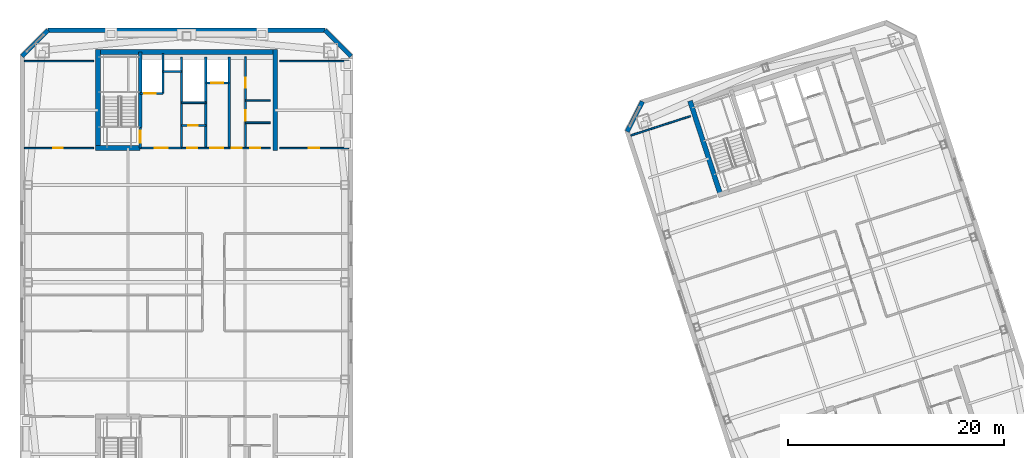
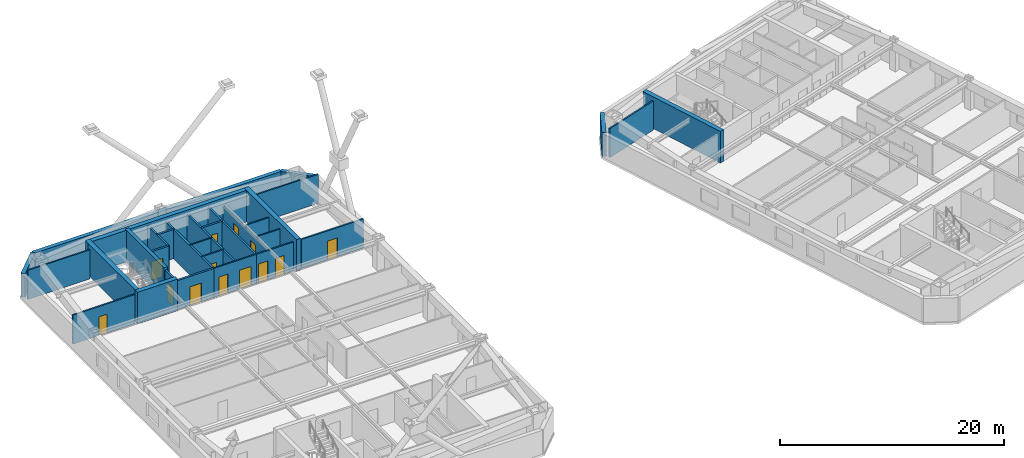
# One storey, part 15 of 20: 31 walls, 13 doors, 13 openings.
"""IFC4 building model written with IfcOpenShell, lengths in metres."""

from ifc_helpers import new_model, si_unit, direction, frame, frame_2d, origin, place, context, subcontext, project, spatial, rectangle, extrude, material, layer, layer_set, type_object, element, fill, save


model = new_model("IFC4")

# Units and contexts
model_context = context("Model", 3, precision=1e-05, world=origin(), true_north=direction((0.0, 1.0)))
body_context = subcontext(model_context, "Body", "Model", "MODEL_VIEW")
ifc_project = project(units=[si_unit("LENGTHUNIT", "METRE"), si_unit("AREAUNIT", "SQUARE_METRE"), si_unit("VOLUMEUNIT", "CUBIC_METRE"), si_unit("PLANEANGLEUNIT", "RADIAN"), si_unit("MASSUNIT", "GRAM", prefix="KILO")], contexts=[model_context])

# Site, building, storey
site_placement = place(None, origin())
site = spatial("IfcSite", under=ifc_project, at=site_placement, CompositionType="ELEMENT")
building_placement = place(site_placement, origin())
building = spatial("IfcBuilding", under=site, at=building_placement, Name="Qiaolan Cultural Towers", CompositionType="ELEMENT")
storey_placement = place(building_placement, frame((0.0, 0.0, 223.10009765625)))
storey = spatial("IfcBuildingStorey", under=building, at=storey_placement, Name="L60", CompositionType="ELEMENT", Elevation=223.10009765625)

# Walls
ifc_material_1 = material(Name="Concrete C50", Category="concrete")
ifc_layer_1 = layer(ifc_material_1, 0.35009765625)
ifc_layer_set_1 = layer_set([ifc_layer_1], Name="Concrete C50")
wall_type_1 = type_object("IfcWallType", Name="WL-CORE-350", PredefinedType="SHEAR", material=ifc_layer_set_1)
wall_1_placement = place(storey_placement, frame((25.719970703125, 48.300048828125, 0.0), z_axis=(0.0, 0.0, 1.0), x_axis=(0.0, 1.0, 0.0)))
element("IfcWall", 1, at=wall_1_placement, inside=storey, type_object=wall_type_1, Name="L60 T1-CN Stair Core Dividing Web", PredefinedType="SHEAR", context=body_context, shape_type="SweptSolid", body=[
    extrude(rectangle(XDim=6.97998046875, YDim=0.35009765625, at=frame_2d((3.489990234375, 0.0))), origin(), (0.0, 0.0, 1.0), 3.449951171875),
])
ifc_material_2 = material(Name="Concrete C50", Category="concrete")
ifc_layer_2 = layer(ifc_material_2, 0.449951171875)
ifc_layer_set_2 = layer_set([ifc_layer_2], Name="Concrete C50")
wall_type_2 = type_object("IfcWallType", Name="WL-CORE-450", PredefinedType="SHEAR", material=ifc_layer_set_2)
wall_2_placement = place(storey_placement, frame((21.574951171875, 55.280029296875, 0.0), z_axis=(0.0, 0.0, 1.0), x_axis=(1.0, 0.0, 0.0)))
element("IfcWall", 2, at=wall_2_placement, inside=storey, type_object=wall_type_2, Name="L60 T1-CN Outer Core Shear Wall", PredefinedType="SHEAR", context=body_context, shape_type="SweptSolid", body=[
    extrude(rectangle(XDim=16.85009765625, YDim=0.449951171875, at=frame_2d((8.425048828125, 0.0))), origin(), (0.0, 0.0, 1.0), 3.449951171875),
])
for number, where, z_axis, x_axis, name in (
    (3, (21.800048828125, 46.175048828125, 0.0), (0.0, 0.0, 1.0), (0.0, 1.0, 0.0), "L60 T1-CN West Core Shear Wall"),
    (4, (38.199951171875, 46.175048828125, 0.0), (0.0, 0.0, 1.0), (0.0, 1.0, 0.0), "L60 T1-CN East Core Shear Wall"),
):
    element("IfcWall", number, at=place(storey_placement, frame(where, z_axis=z_axis, x_axis=x_axis)), inside=storey, type_object=wall_type_2, Name=name, PredefinedType="SHEAR", context=body_context, shape_type="SweptSolid", body=[
        extrude(rectangle(XDim=9.329833984375, YDim=0.449951171875, at=frame_2d((4.6650390625, 0.0))), origin(), (0.0, 0.0, 1.0), 3.449951171875),
    ])
wall_3_placement = place(storey_placement, frame((21.574951171875, 46.39990234375, 0.0), z_axis=(0.0, 0.0, 1.0), x_axis=(1.0, 0.0, 0.0)))
element("IfcWall", 5, at=wall_3_placement, inside=storey, type_object=wall_type_2, Name="L60 T1-CN Stair Front Shear Wall", PredefinedType="SHEAR", context=body_context, shape_type="SweptSolid", body=[
    extrude(rectangle(XDim=4.14501953125, YDim=0.449951171875, at=frame_2d((2.072509765625, 0.0))), origin(), (0.0, 0.0, 1.0), 3.449951171875),
])
wall_4_placement = place(storey_placement, frame((79.4423828125, 41.899169921875, 0.0), z_axis=(0.0, 0.0, 1.0), x_axis=(-0.309035778627, 0.951050412717, 0.0)))
element("IfcWall", 6, at=wall_4_placement, inside=storey, type_object=wall_type_2, Name="L60 T2-CN West Core Shear Wall", PredefinedType="SHEAR", context=body_context, shape_type="SweptSolid", body=[
    extrude(rectangle(XDim=9.330078125, YDim=0.449951171875, at=frame_2d((4.6650390625, 0.0))), origin(), (0.0, 0.0, 1.0), 3.449951171875),
])
ifc_material_3 = material(Name="Precast Concrete C50 Honed Stone Pier", Category="masonry")
ifc_layer_3 = layer(ifc_material_3, 0.39990234375)
ifc_layer_set_3 = layer_set([ifc_layer_3], Name="Precast Concrete C50 Honed Stone Pier")
wall_type_3 = type_object("IfcWallType", Name="WL-EXT-PIER-400", PredefinedType="SOLIDWALL", material=ifc_layer_set_3)
wall_5_placement = place(storey_placement, frame((14.800048828125, 54.89990234375, 0.0), z_axis=(0.0, 0.0, 1.0), x_axis=(0.707070815327, 0.707142745217, 0.0)))
element("IfcWall", 7, at=wall_5_placement, inside=storey, type_object=wall_type_3, Name="L60 West Tower Precast Pier Facade Wall F2", PredefinedType="SOLIDWALL", context=body_context, shape_type="SweptSolid", body=[
    extrude(rectangle(XDim=3.39404296875, YDim=0.39990234375, at=frame_2d((1.697021484375, 0.0))), origin(), (0.0, 0.0, 1.0), 2.60986328125),
])
wall_6_placement = place(storey_placement, frame((17.199951171875, 57.300048828125, 0.0), z_axis=(0.0, 0.0, 1.0), x_axis=(1.0, 0.0, 0.0)))
element("IfcWall", 8, at=wall_6_placement, inside=storey, type_object=wall_type_3, Name="L60 West Tower Precast Pier Facade Wall F3", PredefinedType="SOLIDWALL", context=body_context, shape_type="SweptSolid", body=[
    extrude(rectangle(XDim=25.60009765625, YDim=0.39990234375, at=frame_2d((12.800048828125, 0.0))), origin(), (0.0, 0.0, 1.0), 2.60986328125),
])
wall_7_placement = place(storey_placement, frame((42.800048828125, 57.300048828125, 0.0), z_axis=(0.0, 0.0, 1.0), x_axis=(0.707070815327, -0.707142745217, 0.0)))
element("IfcWall", 9, at=wall_7_placement, inside=storey, type_object=wall_type_3, Name="L60 West Tower Precast Pier Facade Wall F4", PredefinedType="SOLIDWALL", context=body_context, shape_type="SweptSolid", body=[
    extrude(rectangle(XDim=3.39404296875, YDim=0.39990234375, at=frame_2d((1.697021484375, 0.0))), origin(), (0.0, 0.0, 1.0), 2.60986328125),
])
wall_8_placement = place(storey_placement, frame((70.752197265625, 47.93408203125, 0.0), z_axis=(0.0, 0.0, 1.0), x_axis=(0.453949291228, 0.891027519774, 0.0)))
element("IfcWall", 10, at=wall_8_placement, inside=storey, type_object=wall_type_3, Name="L60 East Tower Precast Pier Facade Wall F2", PredefinedType="SOLIDWALL", context=body_context, shape_type="SweptSolid", body=[
    extrude(rectangle(XDim=3.111328125, YDim=0.39990234375, at=frame_2d((1.5556640625, 0.0))), origin(), (0.0, 0.0, 1.0), 2.60986328125),
])

# Wall, opening, door
ifc_material_4 = material(Name="Concrete C35 Fire Wall", Category="concrete")
ifc_layer_4 = layer(ifc_material_4, 0.199951171875)
ifc_layer_set_4 = layer_set([ifc_layer_4], Name="Concrete C35 Fire Wall")
wall_type_4 = type_object("IfcWallType", Name="WL-FIRE-200", PredefinedType="PARTITIONING", material=ifc_layer_set_4)
wall_9_placement = place(storey_placement, frame((25.719970703125, 46.39990234375, 0.0), z_axis=(0.0, 0.0, 1.0), x_axis=(0.0, 1.0, 0.0)))
wall_9 = element("IfcWall", 11, at=wall_9_placement, inside=storey, type_object=wall_type_4, Name="L60 T1-CN Smokeproof Stair Entry Wall", PredefinedType="PARTITIONING", context=body_context, shape_type="SweptSolid", body=[
    extrude(rectangle(XDim=1.900146484375, YDim=0.199951171875, at=frame_2d((0.9501953125, 0.0))), origin(), (0.0, 0.0, 1.0), 3.1748046875),
])
opening_1_placement = place(wall_9_placement, frame((0.52001953125, 0.0, 0.0)))
opening_1 = element("IfcOpeningElement", 12, at=opening_1_placement, cuts=wall_9, Name="Opening FD-04", PredefinedType="OPENING", context=body_context, shape_type="SweptSolid", body=[
    extrude(rectangle(XDim=1.10009765625, YDim=2.050048828125, at=frame_2d((0.550048828125, 1.02490234375))), frame((0.0, 0.10986328125, 0.0), z_axis=(0.0, -1.0, 0.0), x_axis=(1.0, 0.0, 0.0)), (0.0, 0.0, 1.0), 0.219970703125),
])
ifc_material_5 = material(Name="Galvanized Steel Command Fire Door", Category="steel")
door_type_1 = type_object("IfcDoorType", Name="DR-FD90-1100", OperationType="NOTDEFINED", PredefinedType="DOOR", material=ifc_material_5)
door_1_placement = place(opening_1_placement, origin())
door_1 = element("IfcDoor", 13, at=door_1_placement, inside=storey, type_object=door_type_1, Name="L60 ST-W2 Smokeproof Stair Fire Door", OperationType="SINGLE_SWING_LEFT", OverallHeight=2.050048828125, OverallWidth=1.10009765625, PredefinedType="DOOR", context=body_context, shape_type="SweptSolid", body=[
    extrude(rectangle(XDim=1.10009765625, YDim=2.050048828125, at=frame_2d((0.550048828125, 1.02490234375))), frame((0.0, 0.02490234375, 0.0), z_axis=(0.0, -1.0, 0.0), x_axis=(1.0, 0.0, 0.0)), (0.0, 0.0, 1.0), 0.050048828125),
])
fill(opening_1, door_1)

# Wall
wall_10_placement = place(storey_placement, frame((29.550048828125, 46.39990234375, 0.0), z_axis=(0.0, 0.0, 1.0), x_axis=(0.0, 1.0, 0.0)))
element("IfcWall", 14, at=wall_10_placement, inside=storey, type_object=wall_type_4, Name="L60 T1-CN Firefighting Zone Wall", PredefinedType="PARTITIONING", context=body_context, shape_type="SweptSolid", body=[
    extrude(rectangle(XDim=8.43017578125, YDim=0.199951171875, at=frame_2d((4.215087890625, 0.0))), origin(), (0.0, 0.0, 1.0), 3.1748046875),
])

# Wall, opening, door
wall_11_placement = place(storey_placement, frame((25.719970703125, 46.39990234375, 0.0), z_axis=(0.0, 0.0, 1.0), x_axis=(1.0, 0.0, 0.0)))
wall_11 = element("IfcWall", 15, at=wall_11_placement, inside=storey, type_object=wall_type_4, Name="L60 T1-CN Firefighting Lobby Front Wall", PredefinedType="PARTITIONING", context=body_context, shape_type="SweptSolid", body=[
    extrude(rectangle(XDim=3.830078125, YDim=0.199951171875, at=frame_2d((1.9150390625, 0.0))), origin(), (0.0, 0.0, 1.0), 3.1748046875),
])
opening_2_placement = place(wall_11_placement, frame((1.35009765625, 0.0, 0.0)))
opening_2 = element("IfcOpeningElement", 16, at=opening_2_placement, cuts=wall_11, Name="Opening FD-03", PredefinedType="OPENING", context=body_context, shape_type="SweptSolid", body=[
    extrude(rectangle(XDim=1.199951171875, YDim=2.050048828125, at=frame_2d((0.60009765625, 1.02490234375))), frame((0.0, 0.10986328125, 0.0), z_axis=(0.0, -1.0, 0.0), x_axis=(1.0, 0.0, 0.0)), (0.0, 0.0, 1.0), 0.219970703125),
])
ifc_material_6 = material(Name="Galvanized Steel Smokeproof Lobby Fire Door", Category="steel")
door_type_2 = type_object("IfcDoorType", Name="DR-FD90-1200", OperationType="NOTDEFINED", PredefinedType="DOOR", material=ifc_material_6)
door_2_placement = place(opening_2_placement, origin())
door_2 = element("IfcDoor", 17, at=door_2_placement, inside=storey, type_object=door_type_2, Name="L60 FFL-W2 Firefighting Lobby Fire Door", OperationType="SINGLE_SWING_LEFT", OverallHeight=2.050048828125, OverallWidth=1.199951171875, PredefinedType="DOOR", context=body_context, shape_type="SweptSolid", body=[
    extrude(rectangle(XDim=1.199951171875, YDim=2.050048828125, at=frame_2d((0.60009765625, 1.02490234375))), frame((0.0, 0.02490234375, 0.0), z_axis=(0.0, -1.0, 0.0), x_axis=(1.0, 0.0, 0.0)), (0.0, 0.0, 1.0), 0.050048828125),
])
fill(opening_2, door_2)

wall_12_placement = place(storey_placement, frame((25.719970703125, 51.449951171875, 0.0), z_axis=(0.0, 0.0, 1.0), x_axis=(1.0, 0.0, 0.0)))
wall_12 = element("IfcWall", 18, at=wall_12_placement, inside=storey, type_object=wall_type_4, Name="L60 T1-CN Firefighting Shaft Front Wall", PredefinedType="PARTITIONING", context=body_context, shape_type="SweptSolid", body=[
    extrude(rectangle(XDim=2.10009765625, YDim=0.199951171875, at=frame_2d((1.050048828125, 0.0))), origin(), (0.0, 0.0, 1.0), 3.1748046875),
])
opening_3_placement = place(wall_12_placement, frame((0.35009765625, 0.0, 0.0)))
opening_3 = element("IfcOpeningElement", 19, at=opening_3_placement, cuts=wall_12, Name="Opening LD-01", PredefinedType="OPENING", context=body_context, shape_type="SweptSolid", body=[
    extrude(rectangle(XDim=1.10009765625, YDim=2.050048828125, at=frame_2d((0.550048828125, 1.02490234375))), frame((0.0, 0.10986328125, 0.0), z_axis=(0.0, -1.0, 0.0), x_axis=(1.0, 0.0, 0.0)), (0.0, 0.0, 1.0), 0.219970703125),
])
ifc_material_7 = material(Name="Brushed Stainless Steel S30408 Centre-Parting Lift Landing Door", Category="steel")
door_type_3 = type_object("IfcDoorType", Name="DR-LIFT-1100", OperationType="NOTDEFINED", PredefinedType="DOOR", material=ifc_material_7)
door_3_placement = place(opening_3_placement, origin())
door_3 = element("IfcDoor", 20, at=door_3_placement, inside=storey, type_object=door_type_3, Name="L60 FFL-W2 Firefighting Lift Landing Door", OperationType="DOUBLE_DOOR_SLIDING", OverallHeight=2.050048828125, OverallWidth=1.10009765625, PredefinedType="DOOR", context=body_context, shape_type="SweptSolid", body=[
    extrude(rectangle(XDim=1.10009765625, YDim=2.050048828125, at=frame_2d((0.550048828125, 1.02490234375))), frame((0.0, 0.02490234375, 0.0), z_axis=(0.0, -1.0, 0.0), x_axis=(1.0, 0.0, 0.0)), (0.0, 0.0, 1.0), 0.050048828125),
])
fill(opening_3, door_3)

# Walls
wall_13_placement = place(storey_placement, frame((27.820068359375, 51.449951171875, 0.0), z_axis=(0.0, 0.0, 1.0), x_axis=(0.0, 1.0, 0.0)))
element("IfcWall", 21, at=wall_13_placement, inside=storey, type_object=wall_type_4, Name="L60 T1-CN Firefighting Hoistway East Wall", PredefinedType="PARTITIONING", context=body_context, shape_type="SweptSolid", body=[
    extrude(rectangle(XDim=3.699951171875, YDim=0.199951171875, at=frame_2d((1.85009765625, 0.0))), origin(), (0.0, 0.0, 1.0), 3.1748046875),
])
wall_14_placement = place(storey_placement, frame((27.820068359375, 53.47998046875, 0.0), z_axis=(0.0, 0.0, 1.0), x_axis=(1.0, 0.0, 0.0)))
element("IfcWall", 22, at=wall_14_placement, inside=storey, type_object=wall_type_4, Name="L60 T1-CN Pressurization Shaft Front Wall", PredefinedType="PARTITIONING", context=body_context, shape_type="SweptSolid", body=[
    extrude(rectangle(XDim=1.72998046875, YDim=0.199951171875, at=frame_2d((0.864990234375, 0.0))), origin(), (0.0, 0.0, 1.0), 3.1748046875),
])
for number, where, z_axis, x_axis, name in (
    (23, (33.949951171875, 46.39990234375, 0.0), (0.0, 0.0, 1.0), (0.0, 1.0, 0.0), "L60 T1-CN Lift Core East Wall"),
    (24, (31.780029296875, 46.39990234375, 0.0), (0.0, 0.0, 1.0), (0.0, 1.0, 0.0), "L60 T1-CN Sky Shuttle Lift Zone Wall"),
):
    element("IfcWall", number, at=place(storey_placement, frame(where, z_axis=z_axis, x_axis=x_axis)), inside=storey, type_object=wall_type_4, Name=name, PredefinedType="PARTITIONING", context=body_context, shape_type="SweptSolid", body=[
        extrude(rectangle(XDim=8.43017578125, YDim=0.199951171875, at=frame_2d((4.215087890625, 0.0))), origin(), (0.0, 0.0, 1.0), 3.1748046875),
    ])

# Wall, opening, door
wall_15_placement = place(storey_placement, frame((31.780029296875, 52.419921875, 0.0), z_axis=(0.0, 0.0, 1.0), x_axis=(1.0, 0.0, 0.0)))
wall_15 = element("IfcWall", 25, at=wall_15_placement, inside=storey, type_object=wall_type_4, Name="L60 T1-CN Shuttle Lift Shaft Front", PredefinedType="PARTITIONING", context=body_context, shape_type="SweptSolid", body=[
    extrude(rectangle(XDim=2.169921875, YDim=0.199951171875, at=frame_2d((1.0849609375, 0.0))), origin(), (0.0, 0.0, 1.0), 3.1748046875),
])
opening_4_placement = place(wall_15_placement, frame((0.52001953125, 0.0, 0.0)))
opening_4 = element("IfcOpeningElement", 26, at=opening_4_placement, cuts=wall_15, Name="Opening LD-01", PredefinedType="OPENING", context=body_context, shape_type="SweptSolid", body=[
    extrude(rectangle(XDim=1.10009765625, YDim=2.050048828125, at=frame_2d((0.550048828125, 1.02490234375))), frame((0.0, 0.10986328125, 0.0), z_axis=(0.0, -1.0, 0.0), x_axis=(1.0, 0.0, 0.0)), (0.0, 0.0, 1.0), 0.219970703125),
])
door_4_placement = place(opening_4_placement, origin())
door_4 = element("IfcDoor", 27, at=door_4_placement, inside=storey, type_object=door_type_3, Name="L60 Sky Shuttle Lift Landing Door", OperationType="DOUBLE_DOOR_SLIDING", OverallHeight=2.050048828125, OverallWidth=1.10009765625, PredefinedType="DOOR", context=body_context, shape_type="SweptSolid", body=[
    extrude(rectangle(XDim=1.10009765625, YDim=2.050048828125, at=frame_2d((0.550048828125, 1.02490234375))), frame((0.0, 0.02490234375, 0.0), z_axis=(0.0, -1.0, 0.0), x_axis=(1.0, 0.0, 0.0)), (0.0, 0.0, 1.0), 0.050048828125),
])
fill(opening_4, door_4)

# Wall, openings, doors
ifc_material_8 = material(Name="Autoclaved Aerated Concrete Block B06", Category="concrete")
ifc_layer_5 = layer(ifc_material_8, 0.14990234375)
ifc_layer_set_5 = layer_set([ifc_layer_5], Name="Autoclaved Aerated Concrete Block B06")
wall_type_5 = type_object("IfcWallType", Name="WL-PART-150", PredefinedType="PARTITIONING", material=ifc_layer_set_5)
wall_16_placement = place(storey_placement, frame((29.550048828125, 46.39990234375, 0.0), z_axis=(0.0, 0.0, 1.0), x_axis=(1.0, 0.0, 0.0)))
wall_16 = element("IfcWall", 28, at=wall_16_placement, inside=storey, type_object=wall_type_5, Name="L60 T1-CN High-Zone Lift Lobby Wall", PredefinedType="PARTITIONING", context=body_context, shape_type="SweptSolid", body=[
    extrude(rectangle(XDim=4.39990234375, YDim=0.14990234375, at=frame_2d((2.199951171875, 0.0))), origin(), (0.0, 0.0, 1.0), 3.1748046875),
])
opening_5_placement = place(wall_16_placement, frame((0.5, 0.0, 0.0)))
opening_5 = element("IfcOpeningElement", 29, at=opening_5_placement, cuts=wall_16, Name="Opening ID-05", PredefinedType="OPENING", context=body_context, shape_type="SweptSolid", body=[
    extrude(rectangle(XDim=0.949951171875, YDim=2.050048828125, at=frame_2d((0.47509765625, 1.02490234375))), frame((0.0, 0.0849609375, 0.0), z_axis=(0.0, -1.0, 0.0), x_axis=(1.0, 0.0, 0.0)), (0.0, 0.0, 1.0), 0.169921875),
])
opening_6_placement = place(wall_16_placement, frame((2.64990234375, 0.0, 0.0)))
opening_6 = element("IfcOpeningElement", 30, at=opening_6_placement, cuts=wall_16, Name="Opening FD-06", PredefinedType="OPENING", context=body_context, shape_type="SweptSolid", body=[
    extrude(rectangle(XDim=1.199951171875, YDim=2.050048828125, at=frame_2d((0.60009765625, 1.02490234375))), frame((0.0, 0.0849609375, 0.0), z_axis=(0.0, -1.0, 0.0), x_axis=(1.0, 0.0, 0.0)), (0.0, 0.0, 1.0), 0.169921875),
])
ifc_material_9 = material(Name="Painted Steel Plant Fire Door", Category="steel")
door_type_4 = type_object("IfcDoorType", Name="DR-FD60-1200", OperationType="NOTDEFINED", PredefinedType="DOOR", material=ifc_material_9)
door_5_placement = place(opening_6_placement, origin())
door_5 = element("IfcDoor", 31, at=door_5_placement, inside=storey, type_object=door_type_4, Name="L60 Sky Shuttle Lift Lobby Door", OperationType="SINGLE_SWING_RIGHT", OverallHeight=2.050048828125, OverallWidth=1.199951171875, PredefinedType="DOOR", context=body_context, shape_type="SweptSolid", body=[
    extrude(rectangle(XDim=1.199951171875, YDim=2.050048828125, at=frame_2d((0.60009765625, 1.02490234375))), frame((0.0, 0.02490234375, 0.0), z_axis=(0.0, -1.0, 0.0), x_axis=(1.0, 0.0, 0.0)), (0.0, 0.0, 1.0), 0.050048828125),
])
fill(opening_6, door_5)
ifc_material_10 = material(Name="Fire-Rated Laminate Accessible Core Door", Category="timber")
door_type_5 = type_object("IfcDoorType", Name="DR-INT-950", OperationType="NOTDEFINED", PredefinedType="DOOR", material=ifc_material_10)
door_6_placement = place(opening_5_placement, origin())
door_6 = element("IfcDoor", 32, at=door_6_placement, inside=storey, type_object=door_type_5, Name="L60 Reclaimed Server Room Door", OperationType="SINGLE_SWING_LEFT", OverallHeight=2.050048828125, OverallWidth=0.949951171875, PredefinedType="DOOR", context=body_context, shape_type="SweptSolid", body=[
    extrude(rectangle(XDim=0.949951171875, YDim=2.050048828125, at=frame_2d((0.47509765625, 1.02490234375))), frame((0.0, 0.02490234375, 0.0), z_axis=(0.0, -1.0, 0.0), x_axis=(1.0, 0.0, 0.0)), (0.0, 0.0, 1.0), 0.050048828125),
])
fill(opening_5, door_6)

# Wall
wall_17_placement = place(storey_placement, frame((29.550048828125, 50.60009765625, 0.0), z_axis=(0.0, 0.0, 1.0), x_axis=(1.0, 0.0, 0.0)))
element("IfcWall", 33, at=wall_17_placement, inside=storey, type_object=wall_type_5, Name="L60 T1-CN High-Zone Smoke Shaft Split", PredefinedType="PARTITIONING", context=body_context, shape_type="SweptSolid", body=[
    extrude(rectangle(XDim=2.22998046875, YDim=0.14990234375, at=frame_2d((1.114990234375, 0.0))), origin(), (0.0, 0.0, 1.0), 3.1748046875),
])

# Wall, opening, door
wall_18_placement = place(storey_placement, frame((29.550048828125, 48.5, 0.0), z_axis=(0.0, 0.0, 1.0), x_axis=(1.0, 0.0, 0.0)))
wall_18 = element("IfcWall", 34, at=wall_18_placement, inside=storey, type_object=wall_type_5, Name="L60 T1-CN High-Zone Archive Suite Partition", PredefinedType="PARTITIONING", context=body_context, shape_type="SweptSolid", body=[
    extrude(rectangle(XDim=2.22998046875, YDim=0.14990234375, at=frame_2d((1.114990234375, 0.0))), origin(), (0.0, 0.0, 1.0), 3.1748046875),
])
opening_7_placement = place(wall_18_placement, frame((0.60009765625, 0.0, 0.0)))
opening_7 = element("IfcOpeningElement", 35, at=opening_7_placement, cuts=wall_18, Name="Opening ID-06", PredefinedType="OPENING", context=body_context, shape_type="SweptSolid", body=[
    extrude(rectangle(XDim=0.89990234375, YDim=2.050048828125, at=frame_2d((0.449951171875, 1.02490234375))), frame((0.0, 0.0849609375, 0.0), z_axis=(0.0, -1.0, 0.0), x_axis=(1.0, 0.0, 0.0)), (0.0, 0.0, 1.0), 0.169921875),
])
ifc_material_11 = material(Name="Fire-Rated Laminate Core Service Door", Category="timber")
door_type_6 = type_object("IfcDoorType", Name="DR-INT-900", OperationType="NOTDEFINED", PredefinedType="DOOR", material=ifc_material_11)
door_7_placement = place(opening_7_placement, origin())
door_7 = element("IfcDoor", 36, at=door_7_placement, inside=storey, type_object=door_type_6, Name="L60 Archive Vault Inner Door", OperationType="SINGLE_SWING_LEFT", OverallHeight=2.050048828125, OverallWidth=0.89990234375, PredefinedType="DOOR", context=body_context, shape_type="SweptSolid", body=[
    extrude(rectangle(XDim=0.89990234375, YDim=2.050048828125, at=frame_2d((0.449951171875, 1.02490234375))), frame((0.0, 0.02490234375, 0.0), z_axis=(0.0, -1.0, 0.0), x_axis=(1.0, 0.0, 0.0)), (0.0, 0.0, 1.0), 0.050048828125),
])
fill(opening_7, door_7)

# Wall, openings, doors
wall_19_placement = place(storey_placement, frame((33.949951171875, 46.39990234375, 0.0), z_axis=(0.0, 0.0, 1.0), x_axis=(1.0, 0.0, 0.0)))
wall_19 = element("IfcWall", 37, at=wall_19_placement, inside=storey, type_object=wall_type_5, Name="L60 T1-CN Sanitary Core Front Wall", PredefinedType="PARTITIONING", context=body_context, shape_type="SweptSolid", body=[
    extrude(rectangle(XDim=3.800048828125, YDim=0.14990234375, at=frame_2d((1.89990234375, 0.0))), origin(), (0.0, 0.0, 1.0), 3.1748046875),
])
opening_8_placement = place(wall_19_placement, frame((0.219970703125, 0.0, 0.0)))
opening_8 = element("IfcOpeningElement", 38, at=opening_8_placement, cuts=wall_19, Name="Opening ID-05", PredefinedType="OPENING", context=body_context, shape_type="SweptSolid", body=[
    extrude(rectangle(XDim=0.949951171875, YDim=2.050048828125, at=frame_2d((0.47509765625, 1.02490234375))), frame((0.0, 0.0849609375, 0.0), z_axis=(0.0, -1.0, 0.0), x_axis=(1.0, 0.0, 0.0)), (0.0, 0.0, 1.0), 0.169921875),
])
opening_9_placement = place(wall_19_placement, frame((1.949951171875, 0.0, 0.0)))
opening_9 = element("IfcOpeningElement", 39, at=opening_9_placement, cuts=wall_19, Name="Opening ID-06", PredefinedType="OPENING", context=body_context, shape_type="SweptSolid", body=[
    extrude(rectangle(XDim=0.89990234375, YDim=2.050048828125, at=frame_2d((0.449951171875, 1.02490234375))), frame((0.0, 0.0849609375, 0.0), z_axis=(0.0, -1.0, 0.0), x_axis=(1.0, 0.0, 0.0)), (0.0, 0.0, 1.0), 0.169921875),
])
door_8_placement = place(opening_9_placement, origin())
door_8 = element("IfcDoor", 40, at=door_8_placement, inside=storey, type_object=door_type_6, Name="L60 Core Tea Pantry Door", OperationType="SINGLE_SWING_RIGHT", OverallHeight=2.050048828125, OverallWidth=0.89990234375, PredefinedType="DOOR", context=body_context, shape_type="SweptSolid", body=[
    extrude(rectangle(XDim=0.89990234375, YDim=2.050048828125, at=frame_2d((0.449951171875, 1.02490234375))), frame((0.0, 0.02490234375, 0.0), z_axis=(0.0, -1.0, 0.0), x_axis=(1.0, 0.0, 0.0)), (0.0, 0.0, 1.0), 0.050048828125),
])
fill(opening_9, door_8)
door_9_placement = place(opening_8_placement, origin())
door_9 = element("IfcDoor", 41, at=door_9_placement, inside=storey, type_object=door_type_5, Name="L60 Sanitary Passage Door", OperationType="SINGLE_SWING_LEFT", OverallHeight=2.050048828125, OverallWidth=0.949951171875, PredefinedType="DOOR", context=body_context, shape_type="SweptSolid", body=[
    extrude(rectangle(XDim=0.949951171875, YDim=2.050048828125, at=frame_2d((0.47509765625, 1.02490234375))), frame((0.0, 0.02490234375, 0.0), z_axis=(0.0, -1.0, 0.0), x_axis=(1.0, 0.0, 0.0)), (0.0, 0.0, 1.0), 0.050048828125),
])
fill(opening_8, door_9)

wall_20_placement = place(storey_placement, frame((35.449951171875, 46.39990234375, 0.0), z_axis=(0.0, 0.0, 1.0), x_axis=(0.0, 1.0, 0.0)))
wall_20 = element("IfcWall", 42, at=wall_20_placement, inside=storey, type_object=wall_type_5, Name="L60 T1-CN Sanitary Corridor Wall", PredefinedType="PARTITIONING", context=body_context, shape_type="SweptSolid", body=[
    extrude(rectangle(XDim=8.43017578125, YDim=0.14990234375, at=frame_2d((4.215087890625, 0.0))), origin(), (0.0, 0.0, 1.0), 2.764892578125),
])
opening_10_placement = place(wall_20_placement, frame((2.550048828125, 0.0, 0.0)))
opening_10 = element("IfcOpeningElement", 43, at=opening_10_placement, cuts=wall_20, Name="Opening ID-05", PredefinedType="OPENING", context=body_context, shape_type="SweptSolid", body=[
    extrude(rectangle(XDim=0.949951171875, YDim=2.050048828125, at=frame_2d((0.47509765625, 1.02490234375))), frame((0.0, 0.0849609375, 0.0), z_axis=(0.0, -1.0, 0.0), x_axis=(1.0, 0.0, 0.0)), (0.0, 0.0, 1.0), 0.169921875),
])
opening_11_placement = place(wall_20_placement, frame((5.60009765625, 0.0, 0.0)))
opening_11 = element("IfcOpeningElement", 44, at=opening_11_placement, cuts=wall_20, Name="Opening ID-06", PredefinedType="OPENING", context=body_context, shape_type="SweptSolid", body=[
    extrude(rectangle(XDim=0.89990234375, YDim=2.050048828125, at=frame_2d((0.449951171875, 1.02490234375))), frame((0.0, 0.0849609375, 0.0), z_axis=(0.0, -1.0, 0.0), x_axis=(1.0, 0.0, 0.0)), (0.0, 0.0, 1.0), 0.169921875),
])
door_10_placement = place(opening_11_placement, origin())
door_10 = element("IfcDoor", 45, at=door_10_placement, inside=storey, type_object=door_type_6, Name="L60 Staff Restroom Door", OperationType="SINGLE_SWING_RIGHT", OverallHeight=2.050048828125, OverallWidth=0.89990234375, PredefinedType="DOOR", context=body_context, shape_type="SweptSolid", body=[
    extrude(rectangle(XDim=0.89990234375, YDim=2.050048828125, at=frame_2d((0.449951171875, 1.02490234375))), frame((0.0, 0.02490234375, 0.0), z_axis=(0.0, -1.0, 0.0), x_axis=(1.0, 0.0, 0.0)), (0.0, 0.0, 1.0), 0.050048828125),
])
fill(opening_11, door_10)
door_11_placement = place(opening_10_placement, origin())
door_11 = element("IfcDoor", 46, at=door_11_placement, inside=storey, type_object=door_type_5, Name="L60 Accessible Washroom Door", OperationType="SINGLE_SWING_LEFT", OverallHeight=2.050048828125, OverallWidth=0.949951171875, PredefinedType="DOOR", context=body_context, shape_type="SweptSolid", body=[
    extrude(rectangle(XDim=0.949951171875, YDim=2.050048828125, at=frame_2d((0.47509765625, 1.02490234375))), frame((0.0, 0.02490234375, 0.0), z_axis=(0.0, -1.0, 0.0), x_axis=(1.0, 0.0, 0.0)), (0.0, 0.0, 1.0), 0.050048828125),
])
fill(opening_10, door_11)

# Walls
for number, where, z_axis, x_axis, name in (
    (47, (35.449951171875, 50.800048828125, 0.0), (0.0, 0.0, 1.0), (1.0, 0.0, 0.0), "L60 T1-CN Restroom Split Wall"),
    (48, (35.449951171875, 48.75, 0.0), (0.0, 0.0, 1.0), (1.0, 0.0, 0.0), "L60 T1-CN Core Pantry Wall"),
):
    element("IfcWall", number, at=place(storey_placement, frame(where, z_axis=z_axis, x_axis=x_axis)), inside=storey, type_object=wall_type_5, Name=name, PredefinedType="PARTITIONING", context=body_context, shape_type="SweptSolid", body=[
        extrude(rectangle(XDim=2.300048828125, YDim=0.14990234375, at=frame_2d((1.14990234375, 0.0))), origin(), (0.0, 0.0, 1.0), 3.1748046875),
    ])
wall_21_placement = place(storey_placement, frame((15.0, 54.449951171875, 0.0), z_axis=(0.0, 0.0, 1.0), x_axis=(1.0, 0.0, 0.0)))
element("IfcWall", 49, at=wall_21_placement, inside=storey, type_object=wall_type_5, Name="L60 T1 Flank Wall FLK-NW", PredefinedType="PARTITIONING", context=body_context, shape_type="SweptSolid", body=[
    extrude(rectangle(XDim=6.39990234375, YDim=0.14990234375, at=frame_2d((3.199951171875, 0.0))), origin(), (0.0, 0.0, 1.0), 3.1748046875),
])

# Wall, opening, door
wall_22_placement = place(storey_placement, frame((15.0, 46.39990234375, 0.0), z_axis=(0.0, 0.0, 1.0), x_axis=(1.0, 0.0, 0.0)))
wall_22 = element("IfcWall", 50, at=wall_22_placement, inside=storey, type_object=wall_type_5, Name="L60 T1 Flank Front FLK-NW", PredefinedType="PARTITIONING", context=body_context, shape_type="SweptSolid", body=[
    extrude(rectangle(XDim=6.39990234375, YDim=0.14990234375, at=frame_2d((3.199951171875, 0.0))), origin(), (0.0, 0.0, 1.0), 3.1748046875),
])
opening_12_placement = place(wall_22_placement, frame((2.68798828125, 0.0, 0.0)))
opening_12 = element("IfcOpeningElement", 51, at=opening_12_placement, cuts=wall_22, Name="Opening ID-09", PredefinedType="OPENING", context=body_context, shape_type="SweptSolid", body=[
    extrude(rectangle(XDim=0.85009765625, YDim=2.050048828125, at=frame_2d((0.425048828125, 1.02490234375))), frame((0.0, 0.0849609375, 0.0), z_axis=(0.0, -1.0, 0.0), x_axis=(1.0, 0.0, 0.0)), (0.0, 0.0, 1.0), 0.169921875),
])
ifc_material_12 = material(Name="Moisture-Resistant Laminate Utility Door", Category="timber")
door_type_7 = type_object("IfcDoorType", Name="DR-INT-850", OperationType="NOTDEFINED", PredefinedType="DOOR", material=ifc_material_12)
door_12_placement = place(opening_12_placement, origin())
door_12 = element("IfcDoor", 52, at=door_12_placement, inside=storey, type_object=door_type_7, Name="L60 T1 Corner Studio Door", OperationType="SINGLE_SWING_LEFT", OverallHeight=2.050048828125, OverallWidth=0.85009765625, PredefinedType="DOOR", context=body_context, shape_type="SweptSolid", body=[
    extrude(rectangle(XDim=0.85009765625, YDim=2.050048828125, at=frame_2d((0.425048828125, 1.02490234375))), frame((0.0, 0.02490234375, 0.0), z_axis=(0.0, -1.0, 0.0), x_axis=(1.0, 0.0, 0.0)), (0.0, 0.0, 1.0), 0.050048828125),
])
fill(opening_12, door_12)

# Wall
wall_23_placement = place(storey_placement, frame((38.60009765625, 54.449951171875, 0.0), z_axis=(0.0, 0.0, 1.0), x_axis=(1.0, 0.0, 0.0)))
element("IfcWall", 53, at=wall_23_placement, inside=storey, type_object=wall_type_5, Name="L60 T1 Flank Wall FLK-NE", PredefinedType="PARTITIONING", context=body_context, shape_type="SweptSolid", body=[
    extrude(rectangle(XDim=6.39990234375, YDim=0.14990234375, at=frame_2d((3.199951171875, 0.0))), origin(), (0.0, 0.0, 1.0), 3.1748046875),
])

# Wall, opening, door
wall_24_placement = place(storey_placement, frame((38.60009765625, 46.39990234375, 0.0), z_axis=(0.0, 0.0, 1.0), x_axis=(1.0, 0.0, 0.0)))
wall_24 = element("IfcWall", 54, at=wall_24_placement, inside=storey, type_object=wall_type_5, Name="L60 T1 Flank Front FLK-NE", PredefinedType="PARTITIONING", context=body_context, shape_type="SweptSolid", body=[
    extrude(rectangle(XDim=6.39990234375, YDim=0.14990234375, at=frame_2d((3.199951171875, 0.0))), origin(), (0.0, 0.0, 1.0), 3.1748046875),
])
opening_13_placement = place(wall_24_placement, frame((2.68798828125, 0.0, 0.0)))
opening_13 = element("IfcOpeningElement", 55, at=opening_13_placement, cuts=wall_24, Name="Opening ID-04", PredefinedType="OPENING", context=body_context, shape_type="SweptSolid", body=[
    extrude(rectangle(XDim=1.0, YDim=2.050048828125, at=frame_2d((0.5, 1.02490234375))), frame((0.0, 0.0849609375, 0.0), z_axis=(0.0, -1.0, 0.0), x_axis=(1.0, 0.0, 0.0)), (0.0, 0.0, 1.0), 0.169921875),
])
ifc_material_13 = material(Name="Oak Veneer Acoustic Office Door", Category="timber")
door_type_8 = type_object("IfcDoorType", Name="DR-INT-1000", OperationType="NOTDEFINED", PredefinedType="DOOR", material=ifc_material_13)
door_13_placement = place(opening_13_placement, origin())
door_13 = element("IfcDoor", 56, at=door_13_placement, inside=storey, type_object=door_type_8, Name="L60 T1 Corner Studio Door", OperationType="SINGLE_SWING_LEFT", OverallHeight=2.050048828125, OverallWidth=1.0, PredefinedType="DOOR", context=body_context, shape_type="SweptSolid", body=[
    extrude(rectangle(XDim=1.0, YDim=2.050048828125, at=frame_2d((0.5, 1.02490234375))), frame((0.0, 0.02490234375, 0.0), z_axis=(0.0, -1.0, 0.0), x_axis=(1.0, 0.0, 0.0)), (0.0, 0.0, 1.0), 0.050048828125),
])
fill(opening_13, door_13)

# Wall
wall_25_placement = place(storey_placement, frame((71.081298828125, 47.56787109375, 0.0), z_axis=(0.0, 0.0, 1.0), x_axis=(0.951059431056, 0.309008023519, 0.0)))
element("IfcWall", 57, at=wall_25_placement, inside=storey, type_object=wall_type_5, Name="L60 T2 Flank Wall FLK-NW", PredefinedType="PARTITIONING", context=body_context, shape_type="SweptSolid", body=[
    extrude(rectangle(XDim=5.800048828125, YDim=0.14990234375, at=frame_2d((2.89990234375, 0.0))), origin(), (0.0, 0.0, 1.0), 3.1748046875),
])

save(model, "model.ifc")
